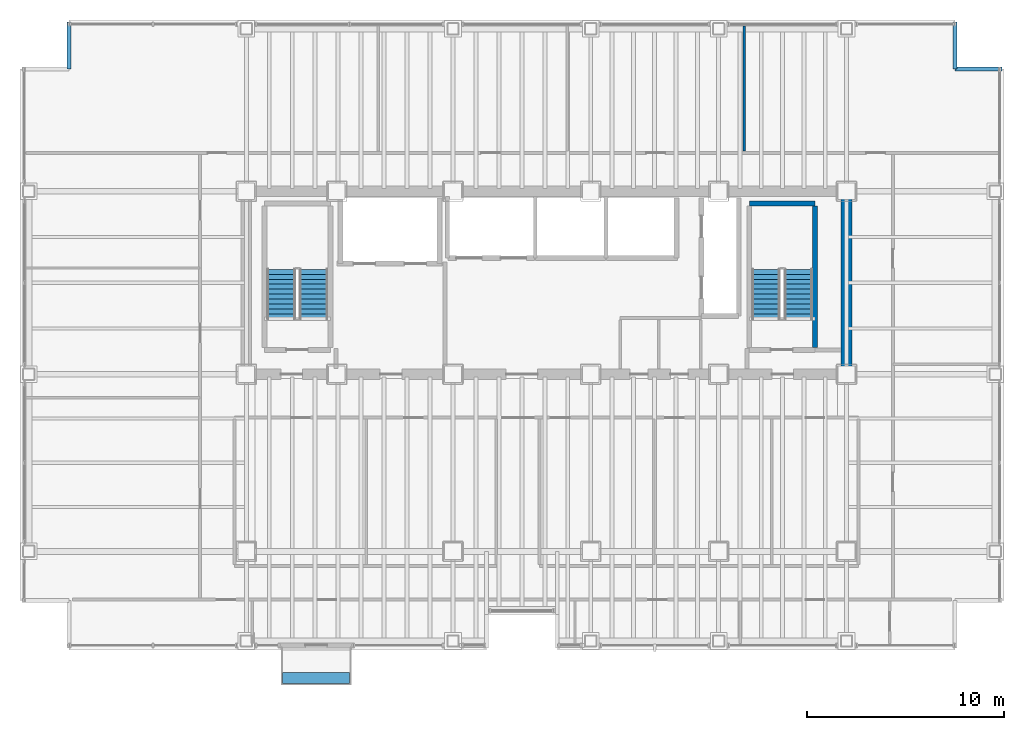
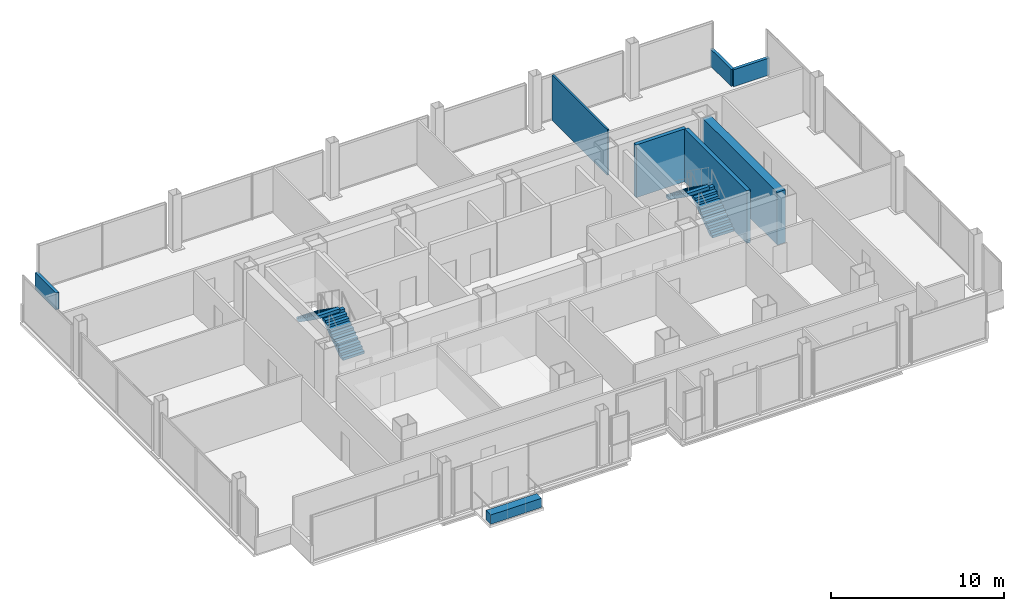
# One storey, part 20 of 21: 7 walls, 4 stair flights, 1 discrete accessory, 2 elements without a shape of their own.
"""IFC4 building model written with IfcOpenShell, lengths in metres."""

from ifc_helpers import new_model, si_unit, direction, frame, frame_2d, origin, origin_2d, place, context, subcontext, project, spatial, polyline, rectangle, outline, extrude, material, layer, layer_set, type_object, element, aggregate, save


model = new_model("IFC4")

# Units and contexts
model_context = context("Model", 3, precision=1e-05, world=origin(), true_north=direction((0.0, 1.0)))
body_context = subcontext(model_context, "Body", "Model", "MODEL_VIEW")
ifc_project = project(units=[si_unit("LENGTHUNIT", "METRE"), si_unit("AREAUNIT", "SQUARE_METRE"), si_unit("VOLUMEUNIT", "CUBIC_METRE"), si_unit("PLANEANGLEUNIT", "RADIAN"), si_unit("MASSUNIT", "GRAM", prefix="KILO")], contexts=[model_context])

# Site, building, storey
site_placement = place(None, origin())
site = spatial("IfcSite", under=ifc_project, at=site_placement, CompositionType="ELEMENT")
building_placement = place(site_placement, origin())
building = spatial("IfcBuilding", under=site, at=building_placement, Name="Noeulbin Bourse Tower", CompositionType="ELEMENT")
storey_placement = place(building_placement, frame((0.0, 0.0, 38.199951171875)))
storey = spatial("IfcBuildingStorey", under=building, at=storey_placement, Name="L09", CompositionType="ELEMENT", Elevation=38.199951171875)

# Walls
ifc_material_1 = material(Name="Concrete C60/75", Category="concrete")
ifc_layer_1 = layer(ifc_material_1, 0.550048828125)
ifc_layer_set_1 = layer_set([ifc_layer_1], Name="Concrete C60/75")
wall_type_1 = type_object("IfcWallType", Name="WAL-CORE-550", PredefinedType="SHEAR", material=ifc_layer_set_1)
wall_1_placement = place(storey_placement, frame((44.0, 29.35009765625, 0.0), z_axis=(0.0, 0.0, 1.0), x_axis=(0.0, 1.0, 0.0)))
element("IfcWall", 1, at=wall_1_placement, inside=storey, type_object=wall_type_1, Name="Rear Core East Shear Wall L09", PredefinedType="SHEAR", context=body_context, shape_type="SweptSolid", body=[
    extrude(rectangle(XDim=8.599853515625, YDim=0.550048828125, at=frame_2d((4.2998046875, 0.0))), origin(), (0.0, 0.0, 1.0), 3.719970703125),
])
ifc_material_2 = material(Name="Concrete C40/50", Category="concrete")
ifc_layer_2 = layer(ifc_material_2, 0.199951171875)
ifc_layer_set_2 = layer_set([ifc_layer_2], Name="Concrete C40/50")
wall_type_2 = type_object("IfcWallType", Name="WAL-PAR-200", PredefinedType="PARAPET", material=ifc_layer_set_2)
for number, where, z_axis, x_axis, name in (
    (2, (4.5, 44.5, 0.0), (0.0, 0.0, 1.0), (0.0, 1.0, 0.0), "Corner Notch Parapet L09-NW2"),
    (3, (49.5, 46.89990234375, 0.0), (0.0, 0.0, 1.0), (0.0, -1.0, 0.0), "Corner Notch Parapet L09-NE1"),
    (4, (49.5, 44.5, 0.0), (0.0, 0.0, 1.0), (1.0, 0.0, 0.0), "Corner Notch Parapet L09-NE2"),
):
    element("IfcWall", number, at=place(storey_placement, frame(where, z_axis=z_axis, x_axis=x_axis)), inside=storey, type_object=wall_type_2, Name=name, PredefinedType="PARAPET", context=body_context, shape_type="SweptSolid", body=[
        extrude(rectangle(XDim=2.39990234375, YDim=0.199951171875, at=frame_2d((1.199951171875, 0.0))), origin(), (0.0, 0.0, 1.0), 1.199951171875),
    ])
ifc_material_3 = material(Name="Steel Stud Gypsum Partition", Category="steel")
ifc_layer_3 = layer(ifc_material_3, 0.1201171875)
ifc_layer_set_3 = layer_set([ifc_layer_3], Name="Steel Stud Gypsum Partition")
wall_type_3 = type_object("IfcWallType", Name="WAL-PRT-120", PredefinedType="PARTITIONING", material=ifc_layer_set_3)
wall_2_placement = place(storey_placement, frame((38.800048828125, 40.3349609375, 0.0), z_axis=(0.0, 0.0, 1.0), x_axis=(0.0, 1.0, 0.0)))
element("IfcWall", 5, at=wall_2_placement, inside=storey, type_object=wall_type_3, Name="Interior Partition Wall L09-32", PredefinedType="PARTITIONING", context=body_context, shape_type="SweptSolid", body=[
    extrude(rectangle(XDim=6.35498046875, YDim=0.1201171875, at=frame_2d((3.177490234375, 0.0))), origin(), (0.0, 0.0, 1.0), 3.212158203125),
])
ifc_layer_4 = layer(ifc_material_2, 0.25)
ifc_layer_set_4 = layer_set([ifc_layer_4], Name="Concrete C40/50")
wall_type_4 = type_object("IfcWallType", Name="WAL-SHFT-250", PredefinedType="STANDARD", material=ifc_layer_set_4)
wall_3_placement = place(storey_placement, frame((39.06005859375, 37.6689453125, 0.0), z_axis=(0.0, 0.0, 1.0), x_axis=(1.0, 0.0, 0.0)))
element("IfcWall", 6, at=wall_3_placement, inside=storey, type_object=wall_type_4, Name="Stair ST-2 North Shaft Wall L09", PredefinedType="STANDARD", context=body_context, shape_type="SweptSolid", body=[
    extrude(rectangle(XDim=3.33984375, YDim=0.25, at=frame_2d((1.669921875, 0.0))), origin(), (0.0, 0.0, 1.0), 3.719970703125),
])
wall_4_placement = place(storey_placement, frame((42.405029296875, 30.360107421875, 0.0), z_axis=(0.0, 0.0, 1.0), x_axis=(0.0, 1.0, 0.0)))
element("IfcWall", 7, at=wall_4_placement, inside=storey, type_object=wall_type_4, Name="Stair ST-2 East Shaft Wall L09", PredefinedType="STANDARD", context=body_context, shape_type="SweptSolid", body=[
    extrude(rectangle(XDim=7.183837890625, YDim=0.25, at=frame_2d((3.591796875, 0.0))), origin(), (0.0, 0.0, 1.0), 3.719970703125),
])

# Stair, stair flights
stair_type = type_object("IfcStairType", Name="STR-CORE-1560", PredefinedType="HALF_TURN_STAIR", material=ifc_material_2)
stair_1_placement = place(storey_placement, origin())
stair_1 = element("IfcStair", 8, at=stair_1_placement, inside=storey, type_object=stair_type, Name="L09 ST-1", PredefinedType="HALF_TURN_STAIR")
stair_flight_type = type_object("IfcStairFlightType", Name="SFL-CORE-1560", PredefinedType="STRAIGHT", material=ifc_material_2)
stair_flight_1_placement = place(storey_placement, frame((16.925048828125, 31.81005859375, 0.0), z_axis=(0.0, 0.0, 1.0), x_axis=(0.0, 1.0, 0.0)))
stair_flight_1 = element("IfcStairFlight", 9, at=stair_flight_1_placement, type_object=stair_flight_type, Name="ST-1 flight 1", NumberOfRisers=11, NumberOfTreads=10, PredefinedType="STRAIGHT", RiserHeight=0.177272727, TreadLength=0.252, context=body_context, shape_type="SweptSolid", body=[
    extrude(outline(polyline([(0.0, 0.0), (0.0, 0.17724609375), (0.251953125, 0.17724609375), (0.251953125, 0.3544921875), (0.50390625, 0.3544921875), (0.50390625, 0.53173828125), (0.756103515625, 0.53173828125), (0.756103515625, 0.708984375), (1.008056640625, 0.708984375), (1.008056640625, 0.886474609375), (1.260009765625, 0.886474609375), (1.260009765625, 1.063720703125), (1.511962890625, 1.063720703125), (1.511962890625, 1.240966796875), (1.763916015625, 1.240966796875), (1.763916015625, 1.418212890625), (2.01611328125, 1.418212890625), (2.01611328125, 1.595458984375), (2.26806640625, 1.595458984375), (2.26806640625, 1.772705078125), (2.52001953125, 1.772705078125), (2.52001953125, 1.949951171875), (2.52001953125, 1.552734375), (0.312744140625, 0.0), (0.0, 0.0)])), frame((0.0, 0.72509765625, 0.0), z_axis=(0.0, -1.0, 0.0), x_axis=(1.0, 0.0, 0.0)), (0.0, 0.0, 1.0), 1.449951171875),
])
stair_flight_2_placement = place(storey_placement, frame((15.27490234375, 34.330078125, 1.949951171875), z_axis=(0.0, 0.0, 1.0), x_axis=(0.0, -1.0, 0.0)))
stair_flight_2 = element("IfcStairFlight", 10, at=stair_flight_2_placement, type_object=stair_flight_type, Name="ST-1 flight 2", NumberOfRisers=11, NumberOfTreads=10, PredefinedType="STRAIGHT", RiserHeight=0.177272727, TreadLength=0.252, context=body_context, shape_type="SweptSolid", body=[
    extrude(outline(polyline([(0.0, 0.0), (0.0, 0.17724609375), (0.251953125, 0.17724609375), (0.251953125, 0.3544921875), (0.50390625, 0.3544921875), (0.50390625, 0.53173828125), (0.756103515625, 0.53173828125), (0.756103515625, 0.708984375), (1.008056640625, 0.708984375), (1.008056640625, 0.886474609375), (1.260009765625, 0.886474609375), (1.260009765625, 1.063720703125), (1.511962890625, 1.063720703125), (1.511962890625, 1.240966796875), (1.763916015625, 1.240966796875), (1.763916015625, 1.418212890625), (2.01611328125, 1.418212890625), (2.01611328125, 1.595458984375), (2.26806640625, 1.595458984375), (2.26806640625, 1.772705078125), (2.52001953125, 1.772705078125), (2.52001953125, 1.949951171875), (2.52001953125, 1.552734375), (0.312744140625, 0.0), (0.0, 0.0)])), frame((0.0, 0.72509765625, 0.0), z_axis=(0.0, -1.0, 0.0), x_axis=(1.0, 0.0, 0.0)), (0.0, 0.0, 1.0), 1.449951171875),
])
aggregate(stair_1, [stair_flight_1, stair_flight_2])

stair_2_placement = place(storey_placement, origin())
stair_2 = element("IfcStair", 11, at=stair_2_placement, inside=storey, type_object=stair_type, Name="L09 ST-2", PredefinedType="HALF_TURN_STAIR")
stair_flight_3_placement = place(storey_placement, frame((41.554931640625, 31.81005859375, 0.0), z_axis=(0.0, 0.0, 1.0), x_axis=(0.0, 1.0, 0.0)))
stair_flight_3 = element("IfcStairFlight", 12, at=stair_flight_3_placement, type_object=stair_flight_type, Name="ST-2 flight 1", NumberOfRisers=11, NumberOfTreads=10, PredefinedType="STRAIGHT", RiserHeight=0.177272727, TreadLength=0.252, context=body_context, shape_type="SweptSolid", body=[
    extrude(outline(polyline([(0.0, 0.0), (0.0, 0.17724609375), (0.251953125, 0.17724609375), (0.251953125, 0.3544921875), (0.50390625, 0.3544921875), (0.50390625, 0.53173828125), (0.756103515625, 0.53173828125), (0.756103515625, 0.708984375), (1.008056640625, 0.708984375), (1.008056640625, 0.886474609375), (1.260009765625, 0.886474609375), (1.260009765625, 1.063720703125), (1.511962890625, 1.063720703125), (1.511962890625, 1.240966796875), (1.763916015625, 1.240966796875), (1.763916015625, 1.418212890625), (2.01611328125, 1.418212890625), (2.01611328125, 1.595458984375), (2.26806640625, 1.595458984375), (2.26806640625, 1.772705078125), (2.52001953125, 1.772705078125), (2.52001953125, 1.949951171875), (2.52001953125, 1.552734375), (0.312744140625, 0.0), (0.0, 0.0)])), frame((0.0, 0.72509765625, 0.0), z_axis=(0.0, -1.0, 0.0), x_axis=(1.0, 0.0, 0.0)), (0.0, 0.0, 1.0), 1.449951171875),
])
stair_flight_4_placement = place(storey_placement, frame((39.905029296875, 34.330078125, 1.949951171875), z_axis=(0.0, 0.0, 1.0), x_axis=(0.0, -1.0, 0.0)))
stair_flight_4 = element("IfcStairFlight", 13, at=stair_flight_4_placement, type_object=stair_flight_type, Name="ST-2 flight 2", NumberOfRisers=11, NumberOfTreads=10, PredefinedType="STRAIGHT", RiserHeight=0.177272727, TreadLength=0.252, context=body_context, shape_type="SweptSolid", body=[
    extrude(outline(polyline([(0.0, 0.0), (0.0, 0.17724609375), (0.251953125, 0.17724609375), (0.251953125, 0.3544921875), (0.50390625, 0.3544921875), (0.50390625, 0.53173828125), (0.756103515625, 0.53173828125), (0.756103515625, 0.708984375), (1.008056640625, 0.708984375), (1.008056640625, 0.886474609375), (1.260009765625, 0.886474609375), (1.260009765625, 1.063720703125), (1.511962890625, 1.063720703125), (1.511962890625, 1.240966796875), (1.763916015625, 1.240966796875), (1.763916015625, 1.418212890625), (2.01611328125, 1.418212890625), (2.01611328125, 1.595458984375), (2.26806640625, 1.595458984375), (2.26806640625, 1.772705078125), (2.52001953125, 1.772705078125), (2.52001953125, 1.949951171875), (2.52001953125, 1.552734375), (0.312744140625, 0.0), (0.0, 0.0)])), frame((0.0, 0.72509765625, 0.0), z_axis=(0.0, -1.0, 0.0), x_axis=(1.0, 0.0, 0.0)), (0.0, 0.0, 1.0), 1.449951171875),
])
aggregate(stair_2, [stair_flight_3, stair_flight_4])

# Discrete accessory
ifc_material_4 = material(Name="Architectural GFRC Concrete C40/50", Category="concrete")
ifc_layer_5 = layer(ifc_material_4, 0.64990234375)
ifc_layer_set_5 = layer_set([ifc_layer_5], Name="Architectural GFRC Concrete C40/50")
discrete_accessory_type = type_object("IfcDiscreteAccessoryType", Name="PLANTER-BOX-3600", PredefinedType="USERDEFINED", material=ifc_layer_set_5)
discrete_accessory_placement = place(storey_placement, frame((17.050048828125, 13.56005859375, 0.0), z_axis=(0.0, 0.0, 1.0), x_axis=(1.0, 0.0, 0.0)))
element("IfcDiscreteAccessory", 14, at=discrete_accessory_placement, inside=storey, type_object=discrete_accessory_type, Name="Integrated Balcony Tree Planter Box L09", ObjectType="PLANTER", PredefinedType="USERDEFINED", context=body_context, shape_type="SweptSolid", body=[
    extrude(rectangle(XDim=3.39990234375, YDim=0.550048828125, at=origin_2d()), origin(), (0.0, 0.0, 1.0), 0.64990234375),
])

save(model, "model.ifc")
